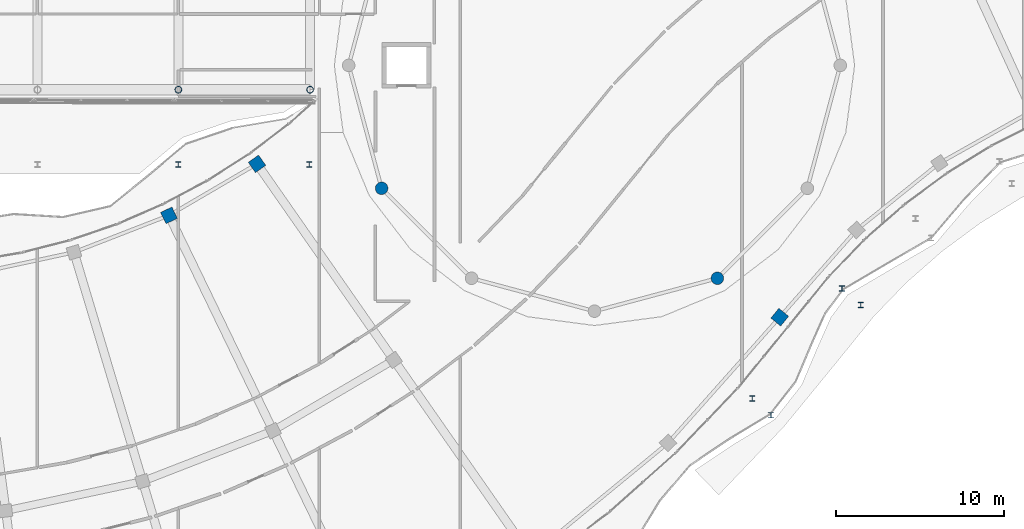
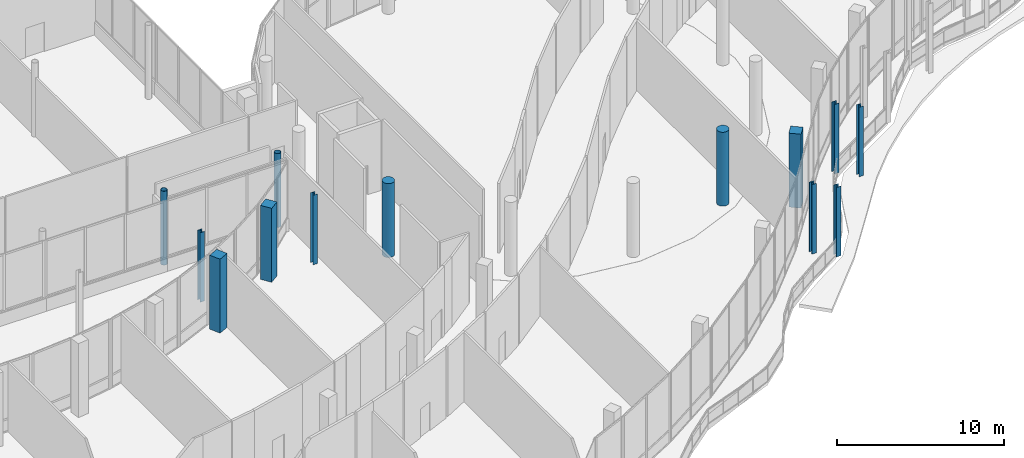
# One storey, part 5 of 158: 13 columns.
"""IFC4 building model written with IfcOpenShell, lengths in metres."""

from ifc_helpers import new_model, si_unit, direction, frame, origin, origin_2d, place, context, subcontext, project, spatial, rectangle, circle, hollow_circle, i_section, extrude, material, material_profile, profile_set, type_object, element, save


model = new_model("IFC4")

# Units and contexts
model_context = context("Model", 3, precision=1e-05, world=origin(), true_north=direction((0.0, 1.0)))
body_context = subcontext(model_context, "Body", "Model", "MODEL_VIEW")
ifc_project = project(units=[si_unit("LENGTHUNIT", "METRE"), si_unit("AREAUNIT", "SQUARE_METRE"), si_unit("VOLUMEUNIT", "CUBIC_METRE"), si_unit("PLANEANGLEUNIT", "RADIAN"), si_unit("MASSUNIT", "GRAM", prefix="KILO")], contexts=[model_context])

# Site, building, storey
site_placement = place(None, origin())
site = spatial("IfcSite", under=ifc_project, at=site_placement, CompositionType="ELEMENT")
building_placement = place(site_placement, origin())
building = spatial("IfcBuilding", under=site, at=building_placement, Name="Selatvlak General Hospital", CompositionType="ELEMENT")
storey_placement = place(building_placement, origin())
storey = spatial("IfcBuildingStorey", under=building, at=storey_placement, Name="L00", CompositionType="ELEMENT", Elevation=0.0)

# Columns
ifc_material_1 = material(Name="Steel S355", Category="steel")
ifc_material_profile_1 = material_profile(ifc_material_1, hollow_circle(Radius=0.203125, WallThickness=0.01611328125, at=origin_2d()), Name="CHS 406.4x16")
ifc_profile_set_1 = profile_set([ifc_material_profile_1], Name="Steel S355")
column_type_1 = type_object("IfcColumnType", Name="COL-CHS406", PredefinedType="COLUMN", material=ifc_profile_set_1)
for number, where, z_axis, x_axis, name in (
    (1, (73.199951171875, 52.550048828125, 0.0), (0.0, 0.0, 1.0), (1.0, 0.0, 0.0), "Column 019 on L00"),
    (2, (81.050048828125, 52.550048828125, 0.0), (0.0, 0.0, 1.0), (1.0, 0.0, 0.0), "Column 022 on L00"),
):
    element("IfcColumn", number, at=place(storey_placement, frame(where, z_axis=z_axis, x_axis=x_axis)), inside=storey, type_object=column_type_1, Name=name, PredefinedType="COLUMN", context=body_context, shape_type="SweptSolid", body=[
        extrude(hollow_circle(Radius=0.203125, WallThickness=0.01611328125, at=origin_2d()), origin(), (0.0, 0.0, 1.0), 5.39990234375),
    ])
ifc_material_2 = material(Name="Concrete C50/60", Category="concrete")
ifc_material_profile_2 = material_profile(ifc_material_2, rectangle(XDim=0.75, YDim=0.75, at=origin_2d()), Name="RC-COL 750x750")
ifc_profile_set_2 = profile_set([ifc_material_profile_2], Name="Concrete C50/60")
column_type_2 = type_object("IfcColumnType", Name="COL-RC75", PredefinedType="COLUMN", material=ifc_profile_set_2)
for number, where, z_axis, x_axis, name in (
    (3, (72.639892578125, 45.06005859375, 0.0), (0.0, 0.0, 1.0), (-0.435199672053, 0.900333963285, 0.0), "Column 331 on L00"),
    (4, (77.886962890625, 48.131103515625, 0.0), (0.0, 0.0, 1.0), (-0.572188815713, 0.820121917262, 0.0), "Column 334 on L00"),
    (5, (109.04296875, 38.992919921875, 0.0), (0.0, 0.0, 1.0), (-0.774922426247, 0.632056352945, 0.0), "Column 338 on L00"),
):
    element("IfcColumn", number, at=place(storey_placement, frame(where, z_axis=z_axis, x_axis=x_axis)), inside=storey, type_object=column_type_2, Name=name, PredefinedType="COLUMN", context=body_context, shape_type="SweptSolid", body=[
        extrude(rectangle(XDim=0.75, YDim=0.75, at=origin_2d()), origin(), (0.0, 0.0, 1.0), 5.39990234375),
    ])
ifc_material_profile_3 = material_profile(ifc_material_2, circle(Radius=0.375, at=origin_2d()), Name="RC-COL D750")
ifc_profile_set_3 = profile_set([ifc_material_profile_3], Name="Concrete C50/60")
column_type_3 = type_object("IfcColumnType", Name="COL-RCD75", PredefinedType="COLUMN", material=ifc_profile_set_3)
for number, where, z_axis, x_axis, name in (
    (6, (85.31298828125, 46.675048828125, 0.0), (0.0, 0.0, 1.0), (-0.866025403784, -0.5, 0.0), "Column 032 on L00"),
    (7, (105.324951171875, 41.31298828125, 0.0), (0.0, 0.0, 1.0), (0.5, -0.866025403784, 0.0), "Column 035 on L00"),
):
    element("IfcColumn", number, at=place(storey_placement, frame(where, z_axis=z_axis, x_axis=x_axis)), inside=storey, type_object=column_type_3, Name=name, PredefinedType="COLUMN", context=body_context, shape_type="SweptSolid", body=[
        extrude(circle(Radius=0.375, at=origin_2d()), origin(), (0.0, 0.0, 1.0), 5.39990234375),
    ])
ifc_material_profile_4 = material_profile(ifc_material_1, i_section(OverallWidth=0.30908203125, OverallDepth=0.320556640625, WebThickness=0.013916015625, FlangeThickness=0.021728515625, at=origin_2d()), Name="UC 305x305x137")
ifc_profile_set_4 = profile_set([ifc_material_profile_4], Name="Steel S355")
column_type_4 = type_object("IfcColumnType", Name="COL-UC305", PredefinedType="COLUMN", material=ifc_profile_set_4)
for number, where, z_axis, x_axis, name in (
    (8, (73.199951171875, 48.10009765625, 0.0), (0.0, 0.0, 1.0), (1.0, 0.0, 0.0), "Column 120 on L00"),
    (9, (81.0, 48.10009765625, 0.0), (0.0, 0.0, 1.0), (1.0, 0.0, 0.0), "Column 121 on L00"),
    (10, (107.39892578125, 34.14306640625, 0.0), (0.0, 0.0, 1.0), (1.0, 0.0, 0.0), "Column 127 on L00"),
    (11, (108.52392578125, 33.15087890625, 0.0), (0.0, 0.0, 1.0), (1.0, 0.0, 0.0), "Column 128 on L00"),
    (12, (112.75390625, 40.7109375, 0.0), (0.0, 0.0, 1.0), (1.0, 0.0, 0.0), "Column 129 on L00"),
    (13, (113.875, 39.715087890625, 0.0), (0.0, 0.0, 1.0), (1.0, 0.0, 0.0), "Column 130 on L00"),
):
    element("IfcColumn", number, at=place(storey_placement, frame(where, z_axis=z_axis, x_axis=x_axis)), inside=storey, type_object=column_type_4, Name=name, PredefinedType="COLUMN", context=body_context, shape_type="SweptSolid", body=[
        extrude(i_section(OverallWidth=0.30908203125, OverallDepth=0.320556640625, WebThickness=0.013916015625, FlangeThickness=0.021728515625, at=origin_2d()), origin(), (0.0, 0.0, 1.0), 5.080078125),
    ])

save(model, "model.ifc")
